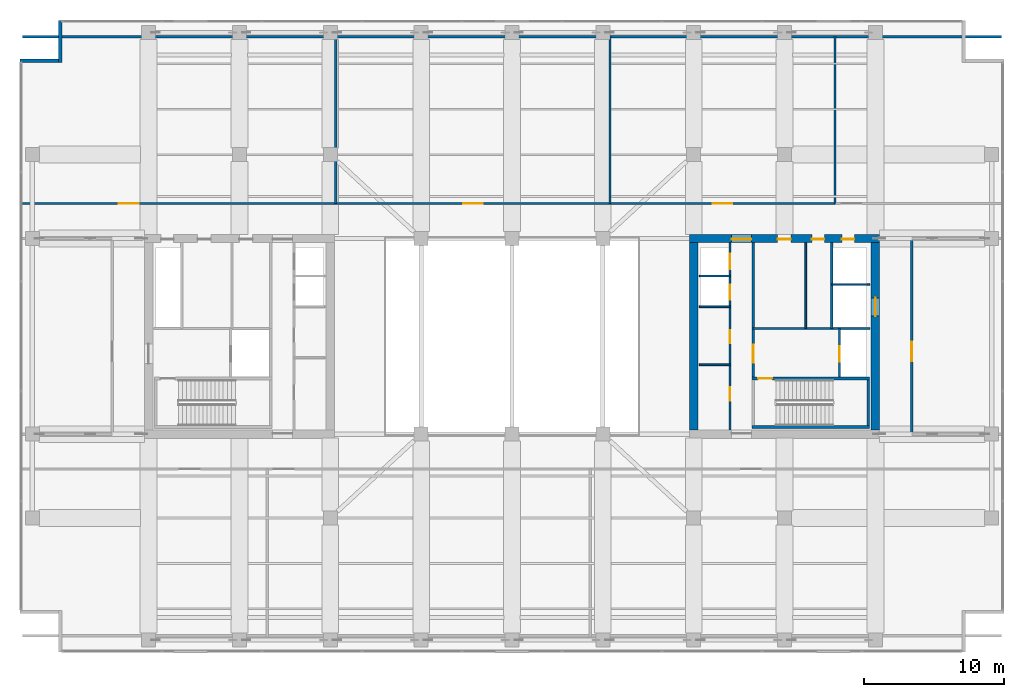
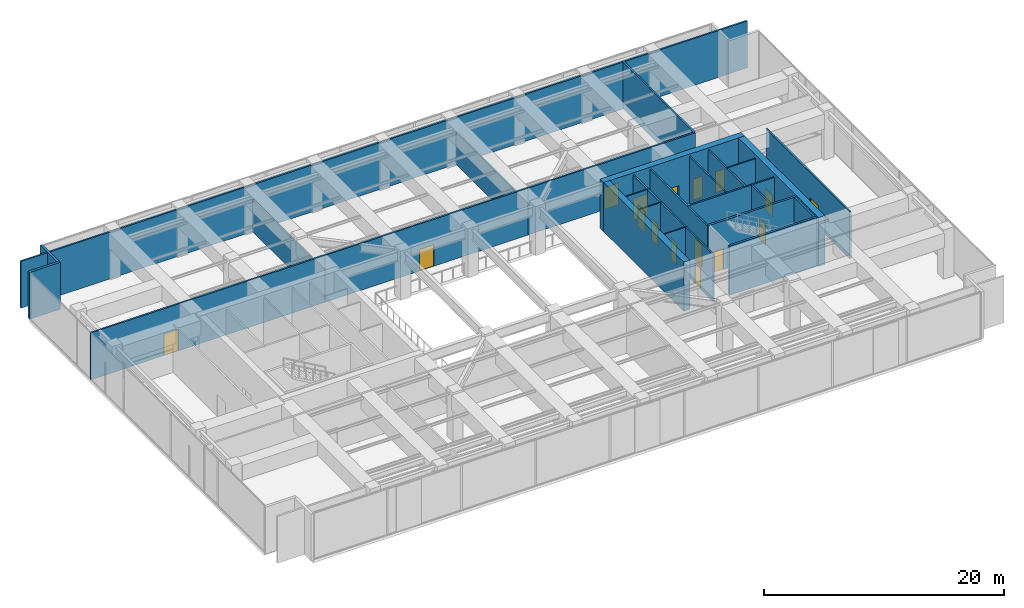
# One storey, part 23 of 28: 26 walls, 16 doors, 16 openings.
"""IFC4 building model written with IfcOpenShell, lengths in metres."""

from ifc_helpers import new_model, si_unit, direction, frame, frame_2d, origin, place, context, subcontext, project, spatial, rectangle, extrude, material, layer, layer_set, type_object, element, fill, save


model = new_model("IFC4")

# Units and contexts
model_context = context("Model", 3, precision=1e-05, world=origin(), true_north=direction((0.0, 1.0)))
body_context = subcontext(model_context, "Body", "Model", "MODEL_VIEW")
ifc_project = project(units=[si_unit("LENGTHUNIT", "METRE"), si_unit("AREAUNIT", "SQUARE_METRE"), si_unit("VOLUMEUNIT", "CUBIC_METRE"), si_unit("PLANEANGLEUNIT", "RADIAN"), si_unit("MASSUNIT", "GRAM", prefix="KILO")], contexts=[model_context])

# Site, building, storey
site_placement = place(None, origin())
site = spatial("IfcSite", under=ifc_project, at=site_placement, CompositionType="ELEMENT")
building_placement = place(site_placement, origin())
building = spatial("IfcBuilding", under=site, at=building_placement, Name="Putna Gate Headquarters", CompositionType="ELEMENT")
storey_placement = place(building_placement, frame((0.0, 0.0, 197.39990234375)))
storey = spatial("IfcBuildingStorey", under=building, at=storey_placement, Name="L49", CompositionType="ELEMENT", Elevation=197.39990234375)

# Wall, openings, doors
ifc_material_1 = material(Name="Concrete C50/60", Category="concrete")
ifc_layer_1 = layer(ifc_material_1, 0.60009765625)
ifc_layer_set_1 = layer_set([ifc_layer_1], Name="Concrete C50/60")
wall_type_1 = type_object("IfcWallType", Name="WALL-CORE-600", PredefinedType="SHEAR", material=ifc_layer_set_1)
wall_1_placement = place(storey_placement, frame((51.699951171875, 33.0, 0.0), z_axis=(0.0, 0.0, 1.0), x_axis=(1.0, 0.0, 0.0)))
wall_1 = element("IfcWall", 1, at=wall_1_placement, inside=storey, type_object=wall_type_1, Name="L49 EC Split Core Shear Wall N", PredefinedType="SHEAR", context=body_context, shape_type="SweptSolid", body=[
    extrude(rectangle(XDim=13.60009765625, YDim=0.60009765625, at=frame_2d((6.800048828125, 0.0))), origin(), (0.0, 0.0, 1.0), 5.0),
])
opening_1_placement = place(wall_1_placement, frame((3.02001953125, 0.0, 0.0)))
opening_1 = element("IfcOpeningElement", 2, at=opening_1_placement, cuts=wall_1, Name="Opening FDD-140", PredefinedType="OPENING", context=body_context, shape_type="SweptSolid", body=[
    extrude(rectangle(XDim=1.39990234375, YDim=2.199951171875, at=frame_2d((0.699951171875, 1.10009765625))), frame((0.0, 0.31005859375, 0.0), z_axis=(0.0, -1.0, 0.0), x_axis=(1.0, 0.0, 0.0)), (0.0, 0.0, 1.0), 0.6201171875),
])
opening_2_placement = place(wall_1_placement, frame((10.89990234375, 0.0, 0.0)))
opening_2 = element("IfcOpeningElement", 3, at=opening_2_placement, cuts=wall_1, Name="Opening RD-90", PredefinedType="OPENING", context=body_context, shape_type="SweptSolid", body=[
    extrude(rectangle(XDim=0.89990234375, YDim=2.14990234375, at=frame_2d((0.449951171875, 1.074951171875))), frame((0.0, 0.31005859375, 0.0), z_axis=(0.0, -1.0, 0.0), x_axis=(1.0, 0.0, 0.0)), (0.0, 0.0, 1.0), 0.6201171875),
])
opening_3_placement = place(wall_1_placement, frame((6.300048828125, 0.0, 0.0)))
opening_3 = element("IfcOpeningElement", 4, at=opening_3_placement, cuts=wall_1, Name="Opening IDS-95", PredefinedType="OPENING", context=body_context, shape_type="SweptSolid", body=[
    extrude(rectangle(XDim=0.949951171875, YDim=2.14990234375, at=frame_2d((0.47509765625, 1.074951171875))), frame((0.0, 0.31005859375, 0.0), z_axis=(0.0, -1.0, 0.0), x_axis=(1.0, 0.0, 0.0)), (0.0, 0.0, 1.0), 0.6201171875),
])
opening_4_placement = place(wall_1_placement, frame((8.75, 0.0, 0.0)))
opening_4 = element("IfcOpeningElement", 5, at=opening_4_placement, cuts=wall_1, Name="Opening IDS-90", PredefinedType="OPENING", context=body_context, shape_type="SweptSolid", body=[
    extrude(rectangle(XDim=0.89990234375, YDim=2.14990234375, at=frame_2d((0.449951171875, 1.074951171875))), frame((0.0, 0.31005859375, 0.0), z_axis=(0.0, -1.0, 0.0), x_axis=(1.0, 0.0, 0.0)), (0.0, 0.0, 1.0), 0.6201171875),
])
ifc_material_2 = material(Name="Double steel fire door", Category="steel")
door_type_1 = type_object("IfcDoorType", Name="DOOR-FIRE-DBL-1400", OperationType="DOUBLE_DOOR_SINGLE_SWING", PredefinedType="DOOR", material=ifc_material_2)
door_1_placement = place(opening_1_placement, origin())
door_1 = element("IfcDoor", 6, at=door_1_placement, inside=storey, type_object=door_type_1, Name="L49 East Lift Lobby North Door", OperationType="DOUBLE_DOOR_SINGLE_SWING", OverallHeight=2.199951171875, OverallWidth=1.39990234375, PredefinedType="DOOR", context=body_context, shape_type="SweptSolid", body=[
    extrude(rectangle(XDim=1.39990234375, YDim=2.199951171875, at=frame_2d((0.699951171875, 1.10009765625))), frame((0.0, -0.02490234375, 0.0), z_axis=(0.0, -1.0, 0.0), x_axis=(1.0, 0.0, 0.0)), (0.0, 0.0, 1.0), 0.050048828125),
])
fill(opening_1, door_1)
ifc_material_3 = material(Name="Fire-rated utility door")
door_type_2 = type_object("IfcDoorType", Name="DOOR-INT-900", OperationType="NOTDEFINED", PredefinedType="DOOR", material=ifc_material_3)
door_2_placement = place(opening_4_placement, origin())
door_2 = element("IfcDoor", 7, at=door_2_placement, inside=storey, type_object=door_type_2, Name="L49 Electrical Plant Door", OperationType="SINGLE_SWING_LEFT", OverallHeight=2.14990234375, OverallWidth=0.89990234375, PredefinedType="DOOR", context=body_context, shape_type="SweptSolid", body=[
    extrude(rectangle(XDim=0.89990234375, YDim=2.14990234375, at=frame_2d((0.449951171875, 1.074951171875))), frame((0.0, -0.02490234375, 0.0), z_axis=(0.0, -1.0, 0.0), x_axis=(1.0, 0.0, 0.0)), (0.0, 0.0, 1.0), 0.050048828125),
])
fill(opening_4, door_2)
ifc_material_4 = material(Name="Fire-rated service timber door", Category="wood")
door_type_3 = type_object("IfcDoorType", Name="DOOR-INT-950", OperationType="NOTDEFINED", PredefinedType="DOOR", material=ifc_material_4)
door_3_placement = place(opening_3_placement, origin())
door_3 = element("IfcDoor", 8, at=door_3_placement, inside=storey, type_object=door_type_3, Name="L49 East Store Door", OperationType="SINGLE_SWING_RIGHT", OverallHeight=2.14990234375, OverallWidth=0.949951171875, PredefinedType="DOOR", context=body_context, shape_type="SweptSolid", body=[
    extrude(rectangle(XDim=0.949951171875, YDim=2.14990234375, at=frame_2d((0.47509765625, 1.074951171875))), frame((0.0, -0.02490234375, 0.0), z_axis=(0.0, -1.0, 0.0), x_axis=(1.0, 0.0, 0.0)), (0.0, 0.0, 1.0), 0.050048828125),
])
fill(opening_3, door_3)
ifc_material_5 = material(Name="Steel riser access fire door", Category="steel")
door_type_4 = type_object("IfcDoorType", Name="DOOR-RISER-900", OperationType="NOTDEFINED", PredefinedType="DOOR", material=ifc_material_5)
door_4_placement = place(opening_2_placement, origin())
door_4 = element("IfcDoor", 9, at=door_4_placement, inside=storey, type_object=door_type_4, Name="L49 East Riser Access Door", OperationType="SINGLE_SWING_LEFT", OverallHeight=2.14990234375, OverallWidth=0.89990234375, PredefinedType="DOOR", context=body_context, shape_type="SweptSolid", body=[
    extrude(rectangle(XDim=0.89990234375, YDim=2.14990234375, at=frame_2d((0.449951171875, 1.074951171875))), frame((0.0, -0.02490234375, 0.0), z_axis=(0.0, -1.0, 0.0), x_axis=(1.0, 0.0, 0.0)), (0.0, 0.0, 1.0), 0.050048828125),
])
fill(opening_2, door_4)

# Wall
wall_2_placement = place(storey_placement, frame((52.0, 19.300048828125, 0.0), z_axis=(0.0, 0.0, 1.0), x_axis=(0.0, 1.0, 0.0)))
element("IfcWall", 10, at=wall_2_placement, inside=storey, type_object=wall_type_1, Name="L49 EC Split Core Shear Wall W", PredefinedType="SHEAR", context=body_context, shape_type="SweptSolid", body=[
    extrude(rectangle(XDim=13.39990234375, YDim=0.60009765625, at=frame_2d((6.699951171875, 0.0))), origin(), (0.0, 0.0, 1.0), 5.0),
])

# Wall, opening, door
wall_3_placement = place(storey_placement, frame((65.0, 19.300048828125, 0.0), z_axis=(0.0, 0.0, 1.0), x_axis=(0.0, 1.0, 0.0)))
wall_3 = element("IfcWall", 11, at=wall_3_placement, inside=storey, type_object=wall_type_1, Name="L49 EC Split Core Shear Wall E", PredefinedType="SHEAR", context=body_context, shape_type="SweptSolid", body=[
    extrude(rectangle(XDim=13.39990234375, YDim=0.60009765625, at=frame_2d((6.699951171875, 0.0))), origin(), (0.0, 0.0, 1.0), 5.0),
])
opening_5_placement = place(wall_3_placement, frame((8.14990234375, 0.0, 0.0)))
opening_5 = element("IfcOpeningElement", 12, at=opening_5_placement, cuts=wall_3, Name="Opening LD-2", PredefinedType="OPENING", context=body_context, shape_type="SweptSolid", body=[
    extrude(rectangle(XDim=1.300048828125, YDim=2.199951171875, at=frame_2d((0.64990234375, 1.10009765625))), frame((0.0, 0.31005859375, 0.0), z_axis=(0.0, -1.0, 0.0), x_axis=(1.0, 0.0, 0.0)), (0.0, 0.0, 1.0), 0.6201171875),
])
ifc_material_6 = material(Name="Heavy-duty goods lift sliding landing door")
door_type_5 = type_object("IfcDoorType", Name="DOOR-LIFT-1300", OperationType="DOUBLE_DOOR_SLIDING", PredefinedType="DOOR", material=ifc_material_6)
door_5_placement = place(opening_5_placement, origin())
door_5 = element("IfcDoor", 13, at=door_5_placement, inside=storey, type_object=door_type_5, Name="L49 Goods Lift Landing Door LD-15", OperationType="DOUBLE_DOOR_SLIDING", OverallHeight=2.199951171875, OverallWidth=1.300048828125, PredefinedType="DOOR", context=body_context, shape_type="SweptSolid", body=[
    extrude(rectangle(XDim=1.300048828125, YDim=2.199951171875, at=frame_2d((0.64990234375, 1.10009765625))), frame((0.0, 0.02490234375, 0.0), z_axis=(0.0, -1.0, 0.0), x_axis=(1.0, 0.0, 0.0)), (0.0, 0.0, 1.0), 0.050048828125),
])
fill(opening_5, door_5)

# Walls
ifc_material_7 = material(Name="Precast concrete C40/50", Category="concrete")
ifc_layer_2 = layer(ifc_material_7, 0.239990234375)
ifc_layer_set_2 = layer_set([ifc_layer_2], Name="Precast concrete C40/50")
wall_type_2 = type_object("IfcWallType", Name="WALL-EXT-TERR-240", PredefinedType="STANDARD", material=ifc_layer_set_2)
for number, where, z_axis, x_axis, name in (
    (14, (6.679931640625, 45.60009765625, 0.0), (0.0, 0.0, 1.0), (0.0, 1.0, 0.0), "L49 Corner Notch Return Wall NW-V"),
    (15, (3.800048828125, 45.719970703125, 0.0), (0.0, 0.0, 1.0), (1.0, 0.0, 0.0), "L49 Corner Notch Return Wall NW-H"),
):
    element("IfcWall", number, at=place(storey_placement, frame(where, z_axis=z_axis, x_axis=x_axis)), inside=storey, type_object=wall_type_2, Name=name, PredefinedType="STANDARD", context=body_context, shape_type="SweptSolid", body=[
        extrude(rectangle(XDim=3.0, YDim=0.239990234375, at=frame_2d((1.5, 0.0))), origin(), (0.0, 0.0, 1.0), 4.780029296875),
    ])
ifc_material_8 = material(Name="Fire-rated shaftwall gypsum board on metal stud")
ifc_layer_3 = layer(ifc_material_8, 0.1201171875)
ifc_layer_set_3 = layer_set([ifc_layer_3], Name="Fire-rated shaftwall gypsum board on metal stud")
wall_type_3 = type_object("IfcWallType", Name="WALL-PART-120-EI120", PredefinedType="PARTITIONING", material=ifc_layer_set_3)
wall_4_placement = place(storey_placement, frame((52.39990234375, 30.31005859375, 0.0), z_axis=(0.0, 0.0, 1.0), x_axis=(1.0, 0.0, 0.0)))
element("IfcWall", 16, at=wall_4_placement, inside=storey, type_object=wall_type_3, Name="L49 Interior Wall CWINT-L49-EC-LF11-DIV", PredefinedType="PARTITIONING", context=body_context, shape_type="SweptSolid", body=[
    extrude(rectangle(XDim=2.2001953125, YDim=0.1201171875, at=frame_2d((1.10009765625, 0.0))), origin(), (0.0, 0.0, 1.0), 4.780029296875),
])
wall_5_placement = place(storey_placement, frame((61.8701171875, 29.699951171875, 0.0), z_axis=(0.0, 0.0, 1.0), x_axis=(1.0, 0.0, 0.0)))
element("IfcWall", 17, at=wall_5_placement, inside=storey, type_object=wall_type_3, Name="L49 Interior Wall CWINT-L49-EC-LF15-N", PredefinedType="PARTITIONING", context=body_context, shape_type="SweptSolid", body=[
    extrude(rectangle(XDim=2.72998046875, YDim=0.1201171875, at=frame_2d((1.364990234375, 0.0))), origin(), (0.0, 0.0, 1.0), 4.780029296875),
])
ifc_material_9 = material(Name="Fire-rated gypsum board on metal stud")
ifc_layer_4 = layer(ifc_material_9, 0.1201171875)
ifc_layer_set_4 = layer_set([ifc_layer_4], Name="Fire-rated gypsum board on metal stud")
wall_type_4 = type_object("IfcWallType", Name="WALL-PART-120-RATED", PredefinedType="PARTITIONING", material=ifc_layer_set_4)
for number, where, z_axis, x_axis, name in (
    (18, (52.39990234375, 23.969970703125, 0.0), (0.0, 0.0, 1.0), (1.0, 0.0, 0.0), "L49 Interior Wall CWINT-L49-EC-REUSE-DIV"),
    (19, (52.39990234375, 28.1201171875, 0.0), (0.0, 0.0, 1.0), (1.0, 0.0, 0.0), "L49 Interior Wall CWINT-L49-EC-LF08-DIV"),
):
    element("IfcWall", number, at=place(storey_placement, frame(where, z_axis=z_axis, x_axis=x_axis)), inside=storey, type_object=wall_type_4, Name=name, PredefinedType="PARTITIONING", context=body_context, shape_type="SweptSolid", body=[
        extrude(rectangle(XDim=2.2001953125, YDim=0.1201171875, at=frame_2d((1.10009765625, 0.0))), origin(), (0.0, 0.0, 1.0), 4.780029296875),
    ])
wall_6_placement = place(storey_placement, frame((60.02001953125, 26.56005859375, 0.0), z_axis=(0.0, 0.0, 1.0), x_axis=(0.0, 1.0, 0.0)))
element("IfcWall", 20, at=wall_6_placement, inside=storey, type_object=wall_type_4, Name="L49 Interior Wall CWINT-L49-EC-K0-DIV", PredefinedType="PARTITIONING", context=body_context, shape_type="SweptSolid", body=[
    extrude(rectangle(XDim=6.139892578125, YDim=0.1201171875, at=frame_2d((3.06982421875, 0.0))), origin(), (0.0, 0.0, 1.0), 4.780029296875),
])

# Wall, openings, doors
ifc_material_10 = material(Name="Concrete C40/50", Category="concrete")
ifc_layer_5 = layer(ifc_material_10, 0.159912109375)
ifc_layer_set_5 = layer_set([ifc_layer_5], Name="Concrete C40/50")
wall_type_5 = type_object("IfcWallType", Name="WALL-SHAFT-160", PredefinedType="STANDARD", material=ifc_layer_set_5)
wall_7_placement = place(storey_placement, frame((54.60009765625, 19.300048828125, 0.0), z_axis=(0.0, 0.0, 1.0), x_axis=(0.0, 1.0, 0.0)))
wall_7 = element("IfcWall", 21, at=wall_7_placement, inside=storey, type_object=wall_type_5, Name="L49 Interior Wall CWINT-L49-EC-PL-WALL", PredefinedType="STANDARD", context=body_context, shape_type="SweptSolid", body=[
    extrude(rectangle(XDim=13.39990234375, YDim=0.159912109375, at=frame_2d((6.699951171875, 0.0))), origin(), (0.0, 0.0, 1.0), 4.780029296875),
])
opening_6_placement = place(wall_7_placement, frame((2.10009765625, 0.0, 0.0)))
opening_6 = element("IfcOpeningElement", 22, at=opening_6_placement, cuts=wall_7, Name="Opening IDS-95", PredefinedType="OPENING", context=body_context, shape_type="SweptSolid", body=[
    extrude(rectangle(XDim=0.949951171875, YDim=2.14990234375, at=frame_2d((0.47509765625, 1.074951171875))), frame((0.0, 0.08984375, 0.0), z_axis=(0.0, -1.0, 0.0), x_axis=(1.0, 0.0, 0.0)), (0.0, 0.0, 1.0), 0.179931640625),
])
opening_7_placement = place(wall_7_placement, frame((6.199951171875, 0.0, 0.0)))
opening_7 = element("IfcOpeningElement", 23, at=opening_7_placement, cuts=wall_7, Name="Opening IDS-95", PredefinedType="OPENING", context=body_context, shape_type="SweptSolid", body=[
    extrude(rectangle(XDim=0.949951171875, YDim=2.14990234375, at=frame_2d((0.47509765625, 1.074951171875))), frame((0.0, 0.08984375, 0.0), z_axis=(0.0, -1.0, 0.0), x_axis=(1.0, 0.0, 0.0)), (0.0, 0.0, 1.0), 0.179931640625),
])
opening_8_placement = place(wall_7_placement, frame((9.300048828125, 0.0, 0.0)))
opening_8 = element("IfcOpeningElement", 24, at=opening_8_placement, cuts=wall_7, Name="Opening LD-1", PredefinedType="OPENING", context=body_context, shape_type="SweptSolid", body=[
    extrude(rectangle(XDim=1.10009765625, YDim=2.199951171875, at=frame_2d((0.550048828125, 1.10009765625))), frame((0.0, 0.08984375, 0.0), z_axis=(0.0, -1.0, 0.0), x_axis=(1.0, 0.0, 0.0)), (0.0, 0.0, 1.0), 0.179931640625),
])
opening_9_placement = place(wall_7_placement, frame((11.5, 0.0, 0.0)))
opening_9 = element("IfcOpeningElement", 25, at=opening_9_placement, cuts=wall_7, Name="Opening LD-1", PredefinedType="OPENING", context=body_context, shape_type="SweptSolid", body=[
    extrude(rectangle(XDim=1.10009765625, YDim=2.199951171875, at=frame_2d((0.550048828125, 1.10009765625))), frame((0.0, 0.08984375, 0.0), z_axis=(0.0, -1.0, 0.0), x_axis=(1.0, 0.0, 0.0)), (0.0, 0.0, 1.0), 0.179931640625),
])
door_6_placement = place(opening_6_placement, origin())
door_6 = element("IfcDoor", 26, at=door_6_placement, inside=storey, type_object=door_type_3, Name="L49 Executive Archive Door", OperationType="SINGLE_SWING_RIGHT", OverallHeight=2.14990234375, OverallWidth=0.949951171875, PredefinedType="DOOR", context=body_context, shape_type="SweptSolid", body=[
    extrude(rectangle(XDim=0.949951171875, YDim=2.14990234375, at=frame_2d((0.47509765625, 1.074951171875))), frame((0.0, 0.02490234375, 0.0), z_axis=(0.0, -1.0, 0.0), x_axis=(1.0, 0.0, 0.0)), (0.0, 0.0, 1.0), 0.050048828125),
])
fill(opening_6, door_6)
door_7_placement = place(opening_7_placement, origin())
door_7 = element("IfcDoor", 27, at=door_7_placement, inside=storey, type_object=door_type_3, Name="L49 Comms Distribution Door", OperationType="SINGLE_SWING_LEFT", OverallHeight=2.14990234375, OverallWidth=0.949951171875, PredefinedType="DOOR", context=body_context, shape_type="SweptSolid", body=[
    extrude(rectangle(XDim=0.949951171875, YDim=2.14990234375, at=frame_2d((0.47509765625, 1.074951171875))), frame((0.0, 0.02490234375, 0.0), z_axis=(0.0, -1.0, 0.0), x_axis=(1.0, 0.0, 0.0)), (0.0, 0.0, 1.0), 0.050048828125),
])
fill(opening_7, door_7)
ifc_material_11 = material(Name="Brushed bronze stainless lift landing door")
door_type_6 = type_object("IfcDoorType", Name="DOOR-LIFT-1100", OperationType="DOUBLE_DOOR_SLIDING", PredefinedType="DOOR", material=ifc_material_11)
door_8_placement = place(opening_8_placement, origin())
door_8 = element("IfcDoor", 28, at=door_8_placement, inside=storey, type_object=door_type_6, Name="L49 Lift Landing Door LD-11", OperationType="DOUBLE_DOOR_SLIDING", OverallHeight=2.199951171875, OverallWidth=1.10009765625, PredefinedType="DOOR", context=body_context, shape_type="SweptSolid", body=[
    extrude(rectangle(XDim=1.10009765625, YDim=2.199951171875, at=frame_2d((0.550048828125, 1.10009765625))), frame((0.0, 0.02490234375, 0.0), z_axis=(0.0, -1.0, 0.0), x_axis=(1.0, 0.0, 0.0)), (0.0, 0.0, 1.0), 0.050048828125),
])
fill(opening_8, door_8)
door_9_placement = place(opening_9_placement, origin())
door_9 = element("IfcDoor", 29, at=door_9_placement, inside=storey, type_object=door_type_6, Name="L49 Lift Landing Door LD-12", OperationType="DOUBLE_DOOR_SLIDING", OverallHeight=2.199951171875, OverallWidth=1.10009765625, PredefinedType="DOOR", context=body_context, shape_type="SweptSolid", body=[
    extrude(rectangle(XDim=1.10009765625, YDim=2.199951171875, at=frame_2d((0.550048828125, 1.10009765625))), frame((0.0, 0.02490234375, 0.0), z_axis=(0.0, -1.0, 0.0), x_axis=(1.0, 0.0, 0.0)), (0.0, 0.0, 1.0), 0.050048828125),
])
fill(opening_9, door_9)

# Wall, opening, door
wall_8_placement = place(storey_placement, frame((56.260009765625, 23.090087890625, 0.0), z_axis=(0.0, 0.0, 1.0), x_axis=(0.0, 1.0, 0.0)))
wall_8 = element("IfcWall", 30, at=wall_8_placement, inside=storey, type_object=wall_type_5, Name="L49 Interior Wall CWINT-L49-EC-LOB-E", PredefinedType="STANDARD", context=body_context, shape_type="SweptSolid", body=[
    extrude(rectangle(XDim=9.60986328125, YDim=0.159912109375, at=frame_2d((4.804931640625, 0.0))), origin(), (0.0, 0.0, 1.0), 4.780029296875),
])
opening_10_placement = place(wall_8_placement, frame((1.010009765625, 0.0, 0.0)))
opening_10 = element("IfcOpeningElement", 31, at=opening_10_placement, cuts=wall_8, Name="Opening FDD-130", PredefinedType="OPENING", context=body_context, shape_type="SweptSolid", body=[
    extrude(rectangle(XDim=1.300048828125, YDim=2.199951171875, at=frame_2d((0.64990234375, 1.10009765625))), frame((0.0, 0.08984375, 0.0), z_axis=(0.0, -1.0, 0.0), x_axis=(1.0, 0.0, 0.0)), (0.0, 0.0, 1.0), 0.179931640625),
])
ifc_material_12 = material(Name="Double steel lobby fire door", Category="steel")
door_type_7 = type_object("IfcDoorType", Name="DOOR-FIRE-DBL-1300", OperationType="DOUBLE_DOOR_SINGLE_SWING", PredefinedType="DOOR", material=ifc_material_12)
door_10_placement = place(opening_10_placement, origin())
door_10 = element("IfcDoor", 32, at=door_10_placement, inside=storey, type_object=door_type_7, Name="L49 East Firefighting Lobby Door", OperationType="DOUBLE_DOOR_SINGLE_SWING", OverallHeight=2.199951171875, OverallWidth=1.300048828125, PredefinedType="DOOR", context=body_context, shape_type="SweptSolid", body=[
    extrude(rectangle(XDim=1.300048828125, YDim=2.199951171875, at=frame_2d((0.64990234375, 1.10009765625))), frame((0.0, 0.02490234375, 0.0), z_axis=(0.0, -1.0, 0.0), x_axis=(1.0, 0.0, 0.0)), (0.0, 0.0, 1.0), 0.050048828125),
])
fill(opening_10, door_10)

wall_9_placement = place(storey_placement, frame((62.429931640625, 23.090087890625, 0.0), z_axis=(0.0, 0.0, 1.0), x_axis=(0.0, 1.0, 0.0)))
wall_9 = element("IfcWall", 33, at=wall_9_placement, inside=storey, type_object=wall_type_5, Name="L49 Interior Wall CWINT-L49-EC-LF14-W", PredefinedType="STANDARD", context=body_context, shape_type="SweptSolid", body=[
    extrude(rectangle(XDim=3.469970703125, YDim=0.159912109375, at=frame_2d((1.73486328125, 0.0))), origin(), (0.0, 0.0, 1.0), 4.780029296875),
])
opening_11_placement = place(wall_9_placement, frame((1.10009765625, 0.0, 0.0)))
opening_11 = element("IfcOpeningElement", 34, at=opening_11_placement, cuts=wall_9, Name="Opening LD-1", PredefinedType="OPENING", context=body_context, shape_type="SweptSolid", body=[
    extrude(rectangle(XDim=1.10009765625, YDim=2.199951171875, at=frame_2d((0.550048828125, 1.10009765625))), frame((0.0, 0.08984375, 0.0), z_axis=(0.0, -1.0, 0.0), x_axis=(1.0, 0.0, 0.0)), (0.0, 0.0, 1.0), 0.179931640625),
])
door_11_placement = place(opening_11_placement, origin())
door_11 = element("IfcDoor", 35, at=door_11_placement, inside=storey, type_object=door_type_6, Name="L49 Lift Landing Door LD-14", OperationType="DOUBLE_DOOR_SLIDING", OverallHeight=2.199951171875, OverallWidth=1.10009765625, PredefinedType="DOOR", context=body_context, shape_type="SweptSolid", body=[
    extrude(rectangle(XDim=1.10009765625, YDim=2.199951171875, at=frame_2d((0.550048828125, 1.10009765625))), frame((0.0, 0.02490234375, 0.0), z_axis=(0.0, -1.0, 0.0), x_axis=(1.0, 0.0, 0.0)), (0.0, 0.0, 1.0), 0.050048828125),
])
fill(opening_11, door_11)

# Walls
wall_10_placement = place(storey_placement, frame((56.260009765625, 26.56005859375, 0.0), z_axis=(0.0, 0.0, 1.0), x_axis=(1.0, 0.0, 0.0)))
element("IfcWall", 36, at=wall_10_placement, inside=storey, type_object=wall_type_5, Name="L49 Interior Wall CWINT-L49-EC-FFL-N", PredefinedType="STANDARD", context=body_context, shape_type="SweptSolid", body=[
    extrude(rectangle(XDim=8.340087890625, YDim=0.159912109375, at=frame_2d((4.169921875, 0.0))), origin(), (0.0, 0.0, 1.0), 4.780029296875),
])
wall_11_placement = place(storey_placement, frame((61.8701171875, 26.56005859375, 0.0), z_axis=(0.0, 0.0, 1.0), x_axis=(0.0, 1.0, 0.0)))
element("IfcWall", 37, at=wall_11_placement, inside=storey, type_object=wall_type_5, Name="L49 Interior Wall CWINT-L49-EC-LF15-W", PredefinedType="STANDARD", context=body_context, shape_type="SweptSolid", body=[
    extrude(rectangle(XDim=6.139892578125, YDim=0.159912109375, at=frame_2d((3.06982421875, 0.0))), origin(), (0.0, 0.0, 1.0), 4.780029296875),
])
wall_12_placement = place(storey_placement, frame((3.97998046875, 47.429931640625, 0.0), z_axis=(0.0, 0.0, 1.0), x_axis=(1.0, 0.0, 0.0)))
element("IfcWall", 38, at=wall_12_placement, inside=storey, type_object=wall_type_5, Name="L49 Interior Wall PART-L49-BELT-N", PredefinedType="STANDARD", context=body_context, shape_type="SweptSolid", body=[
    extrude(rectangle(XDim=70.0400390625, YDim=0.159912109375, at=frame_2d((35.02001953125, 0.0))), origin(), (0.0, 0.0, 1.0), 4.780029296875),
])

# Wall, opening, door
wall_13_placement = place(storey_placement, frame((67.60009765625, 19.0, 0.0), z_axis=(0.0, 0.0, 1.0), x_axis=(0.0, 1.0, 0.0)))
wall_13 = element("IfcWall", 39, at=wall_13_placement, inside=storey, type_object=wall_type_5, Name="L49 Interior Wall PART-L49-REFE", PredefinedType="STANDARD", context=body_context, shape_type="SweptSolid", body=[
    extrude(rectangle(XDim=14.0, YDim=0.159912109375, at=frame_2d((7.0, 0.0))), origin(), (0.0, 0.0, 1.0), 4.780029296875),
])
opening_12_placement = place(wall_13_placement, frame((5.199951171875, 0.0, 0.0)))
opening_12 = element("IfcOpeningElement", 40, at=opening_12_placement, cuts=wall_13, Name="Opening FDD-140", PredefinedType="OPENING", context=body_context, shape_type="SweptSolid", body=[
    extrude(rectangle(XDim=1.39990234375, YDim=2.199951171875, at=frame_2d((0.699951171875, 1.10009765625))), frame((0.0, 0.08984375, 0.0), z_axis=(0.0, -1.0, 0.0), x_axis=(1.0, 0.0, 0.0)), (0.0, 0.0, 1.0), 0.179931640625),
])
door_12_placement = place(opening_12_placement, origin())
door_12 = element("IfcDoor", 41, at=door_12_placement, inside=storey, type_object=door_type_1, Name="L49 East Refuge Area Door", OperationType="DOUBLE_DOOR_SINGLE_SWING", OverallHeight=2.199951171875, OverallWidth=1.39990234375, PredefinedType="DOOR", context=body_context, shape_type="SweptSolid", body=[
    extrude(rectangle(XDim=1.39990234375, YDim=2.199951171875, at=frame_2d((0.699951171875, 1.10009765625))), frame((0.0, 0.02490234375, 0.0), z_axis=(0.0, -1.0, 0.0), x_axis=(1.0, 0.0, 0.0)), (0.0, 0.0, 1.0), 0.050048828125),
])
fill(opening_12, door_12)

# Wall
wall_14_placement = place(storey_placement, frame((26.392822265625, 35.5, 0.0), z_axis=(0.0, 0.0, 1.0), x_axis=(0.0, 1.0, 0.0)))
element("IfcWall", 42, at=wall_14_placement, inside=storey, type_object=wall_type_5, Name="L49 Interior Wall PART-L49-PN-DIV1", PredefinedType="STANDARD", context=body_context, shape_type="SweptSolid", body=[
    extrude(rectangle(XDim=12.010009765625, YDim=0.159912109375, at=frame_2d((6.0048828125, 0.0))), origin(), (0.0, 0.0, 1.0), 3.260009765625),
])

# Wall, opening, door
wall_15_placement = place(storey_placement, frame((3.820068359375, 35.5, 0.0), z_axis=(0.0, 0.0, 1.0), x_axis=(1.0, 0.0, 0.0)))
wall_15 = element("IfcWall", 43, at=wall_15_placement, inside=storey, type_object=wall_type_5, Name="L49 Interior Wall PART-L49-PN-CW1", PredefinedType="STANDARD", context=body_context, shape_type="SweptSolid", body=[
    extrude(rectangle(XDim=22.57275390625, YDim=0.159912109375, at=frame_2d((11.286376953125, 0.0))), origin(), (0.0, 0.0, 1.0), 4.780029296875),
])
opening_13_placement = place(wall_15_placement, frame((7.06005859375, 0.0, 0.0)))
opening_13 = element("IfcOpeningElement", 44, at=opening_13_placement, cuts=wall_15, Name="Opening FDD-140", PredefinedType="OPENING", context=body_context, shape_type="SweptSolid", body=[
    extrude(rectangle(XDim=1.39990234375, YDim=2.199951171875, at=frame_2d((0.699951171875, 1.10009765625))), frame((0.0, 0.08984375, 0.0), z_axis=(0.0, -1.0, 0.0), x_axis=(1.0, 0.0, 0.0)), (0.0, 0.0, 1.0), 0.179931640625),
])
door_13_placement = place(opening_13_placement, origin())
door_13 = element("IfcDoor", 45, at=door_13_placement, inside=storey, type_object=door_type_1, Name="L49 AHU Ventilation Plant Room Door", OperationType="DOUBLE_DOOR_SINGLE_SWING", OverallHeight=2.199951171875, OverallWidth=1.39990234375, PredefinedType="DOOR", context=body_context, shape_type="SweptSolid", body=[
    extrude(rectangle(XDim=1.39990234375, YDim=2.199951171875, at=frame_2d((0.699951171875, 1.10009765625))), frame((0.0, 0.02490234375, 0.0), z_axis=(0.0, -1.0, 0.0), x_axis=(1.0, 0.0, 0.0)), (0.0, 0.0, 1.0), 0.050048828125),
])
fill(opening_13, door_13)

# Wall
wall_16_placement = place(storey_placement, frame((46.00390625, 35.5, 0.0), z_axis=(0.0, 0.0, 1.0), x_axis=(0.0, 1.0, 0.0)))
element("IfcWall", 46, at=wall_16_placement, inside=storey, type_object=wall_type_5, Name="L49 Interior Wall PART-L49-PN-DIV2", PredefinedType="STANDARD", context=body_context, shape_type="SweptSolid", body=[
    extrude(rectangle(XDim=12.010009765625, YDim=0.159912109375, at=frame_2d((6.0048828125, 0.0))), origin(), (0.0, 0.0, 1.0), 3.260009765625),
])

# Wall, opening, door
wall_17_placement = place(storey_placement, frame((26.392822265625, 35.5, 0.0), z_axis=(0.0, 0.0, 1.0), x_axis=(1.0, 0.0, 0.0)))
wall_17 = element("IfcWall", 47, at=wall_17_placement, inside=storey, type_object=wall_type_5, Name="L49 Interior Wall PART-L49-PN-CW2", PredefinedType="STANDARD", context=body_context, shape_type="SweptSolid", body=[
    extrude(rectangle(XDim=19.611083984375, YDim=0.159912109375, at=frame_2d((9.8056640625, 0.0))), origin(), (0.0, 0.0, 1.0), 4.780029296875),
])
opening_14_placement = place(wall_17_placement, frame((9.105712890625, 0.0, 0.0)))
opening_14 = element("IfcOpeningElement", 48, at=opening_14_placement, cuts=wall_17, Name="Opening FDD-140", PredefinedType="OPENING", context=body_context, shape_type="SweptSolid", body=[
    extrude(rectangle(XDim=1.39990234375, YDim=2.199951171875, at=frame_2d((0.699951171875, 1.10009765625))), frame((0.0, 0.08984375, 0.0), z_axis=(0.0, -1.0, 0.0), x_axis=(1.0, 0.0, 0.0)), (0.0, 0.0, 1.0), 0.179931640625),
])
door_14_placement = place(opening_14_placement, origin())
door_14 = element("IfcDoor", 49, at=door_14_placement, inside=storey, type_object=door_type_1, Name="L49 Chiller and Heat Exchanger Plant Room Door", OperationType="DOUBLE_DOOR_SINGLE_SWING", OverallHeight=2.199951171875, OverallWidth=1.39990234375, PredefinedType="DOOR", context=body_context, shape_type="SweptSolid", body=[
    extrude(rectangle(XDim=1.39990234375, YDim=2.199951171875, at=frame_2d((0.699951171875, 1.10009765625))), frame((0.0, 0.02490234375, 0.0), z_axis=(0.0, -1.0, 0.0), x_axis=(1.0, 0.0, 0.0)), (0.0, 0.0, 1.0), 0.050048828125),
])
fill(opening_14, door_14)

# Wall
wall_18_placement = place(storey_placement, frame((62.11328125, 35.5, 0.0), z_axis=(0.0, 0.0, 1.0), x_axis=(0.0, 1.0, 0.0)))
element("IfcWall", 50, at=wall_18_placement, inside=storey, type_object=wall_type_5, Name="L49 Interior Wall PART-L49-PN-DIV3", PredefinedType="STANDARD", context=body_context, shape_type="SweptSolid", body=[
    extrude(rectangle(XDim=12.010009765625, YDim=0.159912109375, at=frame_2d((6.0048828125, 0.0))), origin(), (0.0, 0.0, 1.0), 4.780029296875),
])

# Wall, opening, door
wall_19_placement = place(storey_placement, frame((46.00390625, 35.5, 0.0), z_axis=(0.0, 0.0, 1.0), x_axis=(1.0, 0.0, 0.0)))
wall_19 = element("IfcWall", 51, at=wall_19_placement, inside=storey, type_object=wall_type_5, Name="L49 Interior Wall PART-L49-PN-CW3", PredefinedType="STANDARD", context=body_context, shape_type="SweptSolid", body=[
    extrude(rectangle(XDim=16.109375, YDim=0.159912109375, at=frame_2d((8.0546875, 0.0))), origin(), (0.0, 0.0, 1.0), 4.780029296875),
])
opening_15_placement = place(wall_19_placement, frame((7.3544921875, 0.0, 0.0)))
opening_15 = element("IfcOpeningElement", 52, at=opening_15_placement, cuts=wall_19, Name="Opening FDD-140", PredefinedType="OPENING", context=body_context, shape_type="SweptSolid", body=[
    extrude(rectangle(XDim=1.39990234375, YDim=2.199951171875, at=frame_2d((0.699951171875, 1.10009765625))), frame((0.0, 0.08984375, 0.0), z_axis=(0.0, -1.0, 0.0), x_axis=(1.0, 0.0, 0.0)), (0.0, 0.0, 1.0), 0.179931640625),
])
door_15_placement = place(opening_15_placement, origin())
door_15 = element("IfcDoor", 53, at=door_15_placement, inside=storey, type_object=door_type_1, Name="L49 HV and LV Switchgear Plant Room Door", OperationType="DOUBLE_DOOR_SINGLE_SWING", OverallHeight=2.199951171875, OverallWidth=1.39990234375, PredefinedType="DOOR", context=body_context, shape_type="SweptSolid", body=[
    extrude(rectangle(XDim=1.39990234375, YDim=2.199951171875, at=frame_2d((0.699951171875, 1.10009765625))), frame((0.0, 0.02490234375, 0.0), z_axis=(0.0, -1.0, 0.0), x_axis=(1.0, 0.0, 0.0)), (0.0, 0.0, 1.0), 0.050048828125),
])
fill(opening_15, door_15)

# Wall
ifc_layer_6 = layer(ifc_material_10, 0.199951171875)
ifc_layer_set_6 = layer_set([ifc_layer_6], Name="Concrete C40/50")
wall_type_6 = type_object("IfcWallType", Name="WALL-SHAFT-RC200", PredefinedType="SHEAR", material=ifc_layer_set_6)
wall_20_placement = place(storey_placement, frame((56.159912109375, 19.510009765625, 0.0), z_axis=(0.0, 0.0, 1.0), x_axis=(1.0, 0.0, 0.0)))
element("IfcWall", 54, at=wall_20_placement, inside=storey, type_object=wall_type_6, Name="L49 Stair ST2 Structural Shaft Wall S", PredefinedType="SHEAR", context=body_context, shape_type="SweptSolid", body=[
    extrude(rectangle(XDim=8.43017578125, YDim=0.199951171875, at=frame_2d((4.215087890625, 0.0))), origin(), (0.0, 0.0, 1.0), 5.0),
])

# Wall, opening, door
wall_21_placement = place(storey_placement, frame((56.159912109375, 22.989990234375, 0.0), z_axis=(0.0, 0.0, 1.0), x_axis=(1.0, 0.0, 0.0)))
wall_21 = element("IfcWall", 55, at=wall_21_placement, inside=storey, type_object=wall_type_6, Name="L49 Stair ST2 Structural Shaft Wall N", PredefinedType="SHEAR", context=body_context, shape_type="SweptSolid", body=[
    extrude(rectangle(XDim=8.43017578125, YDim=0.199951171875, at=frame_2d((4.215087890625, 0.0))), origin(), (0.0, 0.0, 1.0), 5.0),
])
opening_16_placement = place(wall_21_placement, frame((0.449951171875, 0.0, 0.0)))
opening_16 = element("IfcOpeningElement", 56, at=opening_16_placement, cuts=wall_21, Name="Opening FD-100", PredefinedType="OPENING", context=body_context, shape_type="SweptSolid", body=[
    extrude(rectangle(XDim=1.0, YDim=2.14990234375, at=frame_2d((0.5, 1.074951171875))), frame((0.0, 0.10986328125, 0.0), z_axis=(0.0, -1.0, 0.0), x_axis=(1.0, 0.0, 0.0)), (0.0, 0.0, 1.0), 0.219970703125),
])
ifc_material_13 = material(Name="Powder-coated steel fire door", Category="steel")
door_type_8 = type_object("IfcDoorType", Name="DOOR-FIRE-1000", OperationType="NOTDEFINED", PredefinedType="DOOR", material=ifc_material_13)
door_16_placement = place(opening_16_placement, origin())
door_16 = element("IfcDoor", 57, at=door_16_placement, inside=storey, type_object=door_type_8, Name="L49 Stair ST2 Fire Door", OperationType="SINGLE_SWING_RIGHT", OverallHeight=2.14990234375, OverallWidth=1.0, PredefinedType="DOOR", context=body_context, shape_type="SweptSolid", body=[
    extrude(rectangle(XDim=1.0, YDim=2.14990234375, at=frame_2d((0.5, 1.074951171875))), frame((0.0, 0.02490234375, 0.0), z_axis=(0.0, -1.0, 0.0), x_axis=(1.0, 0.0, 0.0)), (0.0, 0.0, 1.0), 0.050048828125),
])
fill(opening_16, door_16)

# Wall
wall_22_placement = place(storey_placement, frame((64.489990234375, 19.610107421875, 0.0), z_axis=(0.0, 0.0, 1.0), x_axis=(0.0, 1.0, 0.0)))
element("IfcWall", 58, at=wall_22_placement, inside=storey, type_object=wall_type_6, Name="L49 Stair ST2 Structural Shaft Wall E", PredefinedType="SHEAR", context=body_context, shape_type="SweptSolid", body=[
    extrude(rectangle(XDim=3.27978515625, YDim=0.199951171875, at=frame_2d((1.639892578125, 0.0))), origin(), (0.0, 0.0, 1.0), 5.0),
])

save(model, "model.ifc")
